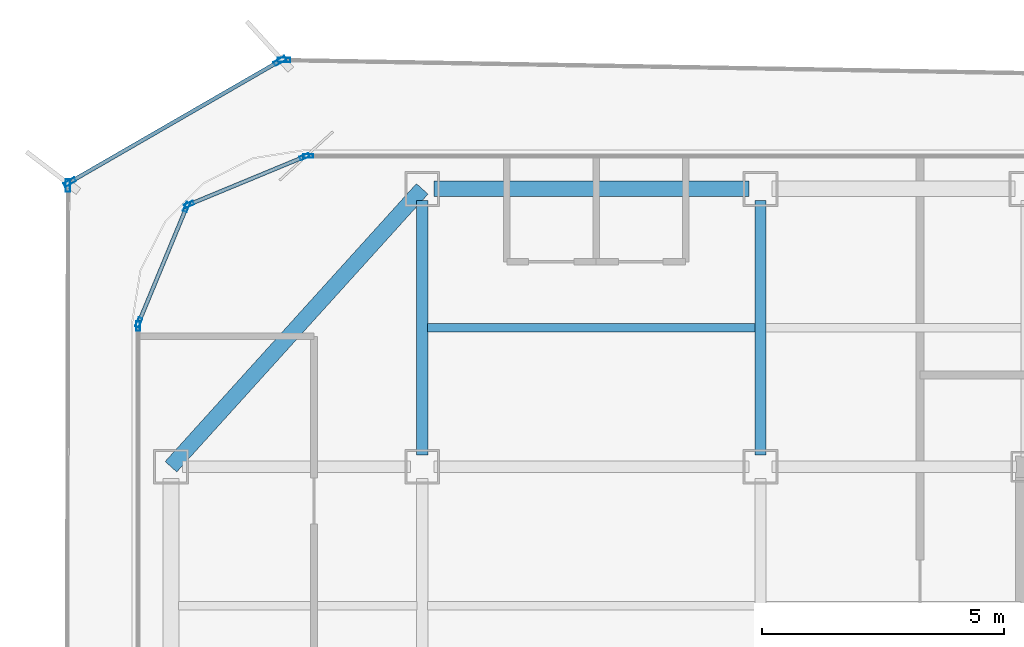
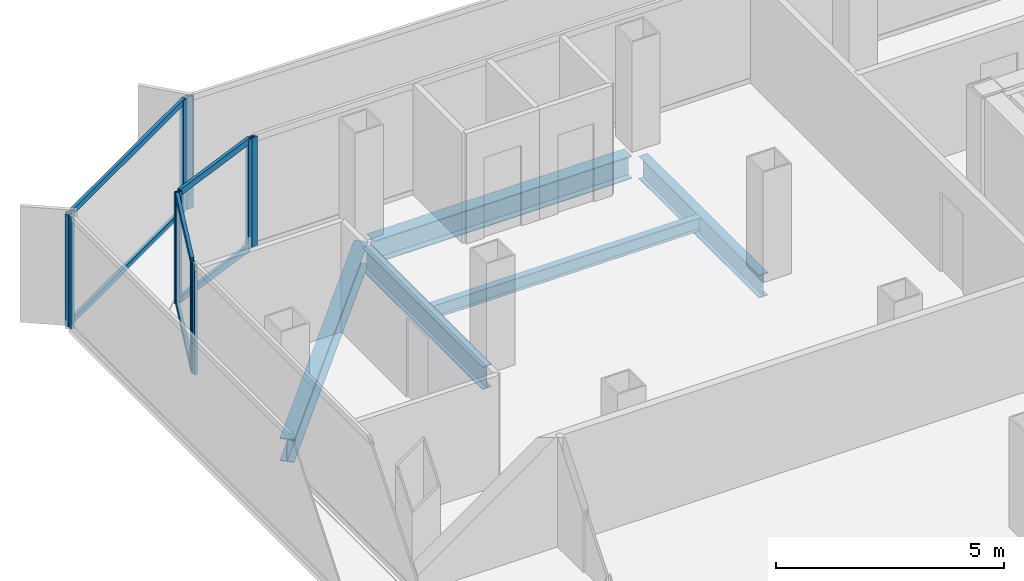
# One storey, part 6 of 16: 16 members, 5 beams, 7 elements without a shape of their own.
"""IFC4 building model written with IfcOpenShell, lengths in metres."""

from ifc_helpers import new_model, si_unit, direction, frame, origin, origin_2d, place, context, subcontext, project, spatial, hollow_rectangle, i_section, extrude, source, transform, mapped, material, layer, layer_set, material_profile, profile_set, type_object, element, aggregate, save


model = new_model("IFC4")

# Units and contexts
model_context = context("Model", 3, precision=1e-05, world=origin(), true_north=direction((0.0, 1.0)))
body_context = subcontext(model_context, "Body", "Model", "MODEL_VIEW")
ifc_project = project(units=[si_unit("LENGTHUNIT", "METRE"), si_unit("AREAUNIT", "SQUARE_METRE"), si_unit("VOLUMEUNIT", "CUBIC_METRE"), si_unit("PLANEANGLEUNIT", "RADIAN"), si_unit("MASSUNIT", "GRAM", prefix="KILO")], contexts=[model_context])

# Site, building, storey
site_placement = place(None, origin())
site = spatial("IfcSite", under=ifc_project, at=site_placement, CompositionType="ELEMENT")
building_placement = place(site_placement, origin())
building = spatial("IfcBuilding", under=site, at=building_placement, Name="Kolveth Station Tower", CompositionType="ELEMENT")
storey_placement = place(building_placement, frame((0.0, 0.0, 206.0)))
storey = spatial("IfcBuildingStorey", under=building, at=storey_placement, Name="L58", CompositionType="ELEMENT", Elevation=206.0)

# Beams
ifc_material_1 = material(Name="Steel S355", Category="steel")
ifc_material_profile_1 = material_profile(ifc_material_1, i_section(OverallWidth=0.323974609375, OverallDepth=0.611083984375, WebThickness=0.0126953125, FlangeThickness=0.01904296875, at=origin_2d()), Name="W610x155")
ifc_profile_set_1 = profile_set([ifc_material_profile_1], Name="Steel S355")
beam_type_1 = type_object("IfcBeamType", Name="Beam_SP2", PredefinedType="SPANDREL", material=ifc_profile_set_1)
shared_shape_1 = source(origin(), body_context, "Body", "SweptSolid", [
    extrude(i_section(OverallWidth=0.323974609375, OverallDepth=0.611083984375, WebThickness=0.0126953125, FlangeThickness=0.01904296875, at=origin_2d()), origin(), (0.0, 0.0, 1.0), 7.75244140625),
])
beam_1_placement = place(storey_placement, frame((6.0, 34.5, -0.555419921875), z_axis=(-0.670740965555, -0.74169168603, 0.0), x_axis=(0.74169168603, -0.670740965555, 0.0)))
element("IfcBeam", 1, at=beam_1_placement, inside=storey, type_object=beam_type_1, Name="L58 Corner Edge Girder BM-L58-CNR-NW", PredefinedType="SPANDREL", context=body_context, shape_type="MappedRepresentation", body=[
    mapped(shared_shape_1, transform((0.0, 0.0, 0.0), x_axis=(1.0, 0.0, 0.0), y_axis=(0.0, 1.0, 0.0), z_axis=(0.0, 0.0, 1.0), scale=1.0)),
])
shared_shape_2 = source(origin(), body_context, "Body", "SweptSolid", [
    extrude(i_section(OverallWidth=0.323974609375, OverallDepth=0.611083984375, WebThickness=0.0126953125, FlangeThickness=0.01904296875, at=origin_2d()), origin(), (0.0, 0.0, 1.0), 6.52001953125),
])
beam_2_placement = place(storey_placement, frame((6.239990234375, 34.5, -0.555419921875), z_axis=(1.0, 0.0, 0.0), x_axis=(0.0, 1.0, 0.0)))
element("IfcBeam", 2, at=beam_2_placement, inside=storey, type_object=beam_type_1, Name="L58 Perimeter Spandrel BM-L58-PN-1", PredefinedType="SPANDREL", context=body_context, shape_type="MappedRepresentation", body=[
    mapped(shared_shape_2, transform((0.0, 0.0, 0.0), x_axis=(1.0, 0.0, 0.0), y_axis=(0.0, 1.0, 0.0), z_axis=(0.0, 0.0, 1.0), scale=1.0)),
])
ifc_material_profile_2 = material_profile(ifc_material_1, i_section(OverallWidth=0.22900390625, OverallDepth=0.612060546875, WebThickness=0.011962890625, FlangeThickness=0.01953125, at=origin_2d()), Name="W610x125")
ifc_profile_set_2 = profile_set([ifc_material_profile_2], Name="Steel S355")
beam_type_2 = type_object("IfcBeamType", Name="Beam_B5", PredefinedType="BEAM", material=ifc_profile_set_2)
shared_shape_3 = source(origin(), body_context, "Body", "SweptSolid", [
    extrude(i_section(OverallWidth=0.22900390625, OverallDepth=0.612060546875, WebThickness=0.011962890625, FlangeThickness=0.01953125, at=origin_2d()), origin(), (0.0, 0.0, 1.0), 5.27001953125),
])
for number, where, z_axis, x_axis, name in (
    (3, (6.0, 28.989990234375, -0.555908203125), (0.0, 1.0, 0.0), (-1.0, 0.0, 0.0), "L58 Primary Girder BM-L58-GX60-6"),
    (4, (13.0, 28.989990234375, -0.555908203125), (0.0, 1.0, 0.0), (-1.0, 0.0, 0.0), "L58 Primary Girder BM-L58-GX130-6"),
):
    element("IfcBeam", number, at=place(storey_placement, frame(where, z_axis=z_axis, x_axis=x_axis)), inside=storey, type_object=beam_type_2, Name=name, PredefinedType="BEAM", context=body_context, shape_type="MappedRepresentation", body=[
        mapped(shared_shape_3, transform((0.0, 0.0, 0.0), x_axis=(1.0, 0.0, 0.0), y_axis=(0.0, 1.0, 0.0), z_axis=(0.0, 0.0, 1.0), scale=1.0)),
    ])
ifc_material_profile_3 = material_profile(ifc_material_1, i_section(OverallWidth=0.1708984375, OverallDepth=0.35205078125, WebThickness=0.0068359375, FlangeThickness=0.009765625, at=origin_2d()), Name="W360x44")
ifc_profile_set_3 = profile_set([ifc_material_profile_3], Name="Steel S355")
beam_type_3 = type_object("IfcBeamType", Name="Beam_J2", PredefinedType="JOIST", material=ifc_profile_set_3)
shared_shape_4 = source(origin(), body_context, "Body", "SweptSolid", [
    extrude(i_section(OverallWidth=0.1708984375, OverallDepth=0.35205078125, WebThickness=0.0068359375, FlangeThickness=0.009765625, at=origin_2d()), origin(), (0.0, 0.0, 1.0), 6.77490234375),
])
beam_3_placement = place(storey_placement, frame((6.112548828125, 31.625, -0.426025390625), z_axis=(1.0, 0.0, 0.0), x_axis=(0.0, 1.0, 0.0)))
element("IfcBeam", 5, at=beam_3_placement, inside=storey, type_object=beam_type_3, Name="L58 Secondary Joist JST-L58-2-6", PredefinedType="JOIST", context=body_context, shape_type="MappedRepresentation", body=[
    mapped(shared_shape_4, transform((0.0, 0.0, 0.0), x_axis=(1.0, 0.0, 0.0), y_axis=(0.0, 1.0, 0.0), z_axis=(0.0, 0.0, 1.0), scale=1.0)),
])

# Curtain wall, member
ifc_material_2 = material(Name="Aluminium 6063-T6 and low-E dark glass", Category="aluminium")
ifc_layer_1 = layer(ifc_material_2, 0.18994140625)
ifc_layer_set_1 = layer_set([ifc_layer_1], Name="Aluminium 6063-T6 and low-E dark glass")
curtain_wall_type_1 = type_object("IfcCurtainWallType", Name="CurtainWall_CW-Z2", PredefinedType="NOTDEFINED", material=ifc_layer_set_1)
curtain_wall_1_placement = place(storey_placement, origin())
curtain_wall_1 = element("IfcCurtainWall", 6, at=curtain_wall_1_placement, inside=storey, type_object=curtain_wall_type_1, Name="L58 Inner Thermal Curtain Wall 6", PredefinedType="NOTDEFINED")
ifc_material_3 = material(Name="Black anodized aluminium 6063-T6", Category="aluminium")
ifc_material_profile_4 = material_profile(ifc_material_3, hollow_rectangle(XDim=0.080078125, YDim=0.199951171875, WallThickness=0.0048828125, at=origin_2d()), Name="ALU-80x200x5")
ifc_profile_set_4 = profile_set([ifc_material_profile_4], Name="Black anodized aluminium 6063-T6")
member_type_1 = type_object("IfcMemberType", Name="Mullion_ML2", PredefinedType="MULLION", material=ifc_profile_set_4)
shared_shape_5 = source(origin(), body_context, "Body", "SweptSolid", [
    extrude(hollow_rectangle(XDim=0.080078125, YDim=0.199951171875, WallThickness=0.0048828125, at=origin_2d()), origin(), (0.0, 0.0, 1.0), 2.949951171875),
])
member_1_placement = place(storey_placement, frame((3.639892578125, 35.179931640625, 0.0), z_axis=(0.0, 0.0, 1.0), x_axis=(0.0, -1.0, 0.0)))
member_1 = element("IfcMember", 7, at=member_1_placement, type_object=member_type_1, Name="CW-Z2 mullion 2", PredefinedType="MULLION", context=body_context, shape_type="MappedRepresentation", body=[
    mapped(shared_shape_5, transform((0.0, 0.0, 0.0), x_axis=(1.0, 0.0, 0.0), y_axis=(0.0, 1.0, 0.0), z_axis=(0.0, 0.0, 1.0), scale=1.0)),
])
aggregate(curtain_wall_1, [member_1])

# Curtain wall, members
curtain_wall_2_placement = place(storey_placement, origin())
curtain_wall_2 = element("IfcCurtainWall", 8, at=curtain_wall_2_placement, inside=storey, type_object=curtain_wall_type_1, Name="L58 Inner Thermal Curtain Wall 7", PredefinedType="NOTDEFINED")
member_2_placement = place(storey_placement, frame((3.56298828125, 35.164794921875, 0.0), z_axis=(0.0, 0.0, 1.0), x_axis=(0.382697753087, -0.923873600544, 0.0)))
member_2 = element("IfcMember", 9, at=member_2_placement, type_object=member_type_1, Name="CW-Z2 mullion 1", PredefinedType="MULLION", context=body_context, shape_type="MappedRepresentation", body=[
    mapped(shared_shape_5, transform((0.0, 0.0, 0.0), x_axis=(1.0, 0.0, 0.0), y_axis=(0.0, 1.0, 0.0), z_axis=(0.0, 0.0, 1.0), scale=1.0)),
])
member_3_placement = place(storey_placement, frame((1.17626953125, 34.176025390625, 0.0), z_axis=(0.0, 0.0, 1.0), x_axis=(0.382697753087, -0.923873600544, 0.0)))
member_3 = element("IfcMember", 10, at=member_3_placement, type_object=member_type_1, Name="CW-Z2 mullion 2", PredefinedType="MULLION", context=body_context, shape_type="MappedRepresentation", body=[
    mapped(shared_shape_5, transform((0.0, 0.0, 0.0), x_axis=(1.0, 0.0, 0.0), y_axis=(0.0, 1.0, 0.0), z_axis=(0.0, 0.0, 1.0), scale=1.0)),
])

curtain_wall_3_placement = place(storey_placement, origin())
curtain_wall_3 = element("IfcCurtainWall", 11, at=curtain_wall_3_placement, inside=storey, type_object=curtain_wall_type_1, Name="L58 Inner Thermal Curtain Wall 8", PredefinedType="NOTDEFINED")
member_4_placement = place(storey_placement, frame((1.1240234375, 34.123779296875, 0.0), z_axis=(0.0, 0.0, 1.0), x_axis=(0.923873600544, -0.382697753087, 0.0)))
member_4 = element("IfcMember", 12, at=member_4_placement, type_object=member_type_1, Name="CW-Z2 mullion 1", PredefinedType="MULLION", context=body_context, shape_type="MappedRepresentation", body=[
    mapped(shared_shape_5, transform((0.0, 0.0, 0.0), x_axis=(1.0, 0.0, 0.0), y_axis=(0.0, 1.0, 0.0), z_axis=(0.0, 0.0, 1.0), scale=1.0)),
])
member_5_placement = place(storey_placement, frame((0.13525390625, 31.737060546875, 0.0), z_axis=(0.0, 0.0, 1.0), x_axis=(0.923873600544, -0.382697753087, 0.0)))
member_5 = element("IfcMember", 13, at=member_5_placement, type_object=member_type_1, Name="CW-Z2 mullion 2", PredefinedType="MULLION", context=body_context, shape_type="MappedRepresentation", body=[
    mapped(shared_shape_5, transform((0.0, 0.0, 0.0), x_axis=(1.0, 0.0, 0.0), y_axis=(0.0, 1.0, 0.0), z_axis=(0.0, 0.0, 1.0), scale=1.0)),
])

# Curtain wall, member
curtain_wall_4_placement = place(storey_placement, origin())
curtain_wall_4 = element("IfcCurtainWall", 14, at=curtain_wall_4_placement, inside=storey, type_object=curtain_wall_type_1, Name="L58 Inner Thermal Curtain Wall 9", PredefinedType="NOTDEFINED")
member_6_placement = place(storey_placement, frame((0.1201171875, 31.659912109375, 0.0), z_axis=(0.0, 0.0, 1.0), x_axis=(1.0, 0.0, 0.0)))
member_6 = element("IfcMember", 15, at=member_6_placement, type_object=member_type_1, Name="CW-Z2 mullion 1", PredefinedType="MULLION", context=body_context, shape_type="MappedRepresentation", body=[
    mapped(shared_shape_5, transform((0.0, 0.0, 0.0), x_axis=(1.0, 0.0, 0.0), y_axis=(0.0, 1.0, 0.0), z_axis=(0.0, 0.0, 1.0), scale=1.0)),
])
aggregate(curtain_wall_4, [member_6])

ifc_material_4 = material(Name="Black anodized aluminium 6063-T6 and dark solar glass", Category="aluminium")
ifc_layer_2 = layer(ifc_material_4, 0.159912109375)
ifc_layer_set_2 = layer_set([ifc_layer_2], Name="Black anodized aluminium 6063-T6 and dark solar glass")
curtain_wall_type_2 = type_object("IfcCurtainWallType", Name="OUTER SKIN CW-OS", PredefinedType="NOTDEFINED", material=ifc_layer_set_2)
curtain_wall_5_placement = place(storey_placement, origin())
curtain_wall_5 = element("IfcCurtainWall", 16, at=curtain_wall_5_placement, inside=storey, type_object=curtain_wall_type_2, Name="L58 Outer Ventilated Skin Curtain Wall 4", PredefinedType="NOTDEFINED")
ifc_material_profile_5 = material_profile(ifc_material_3, hollow_rectangle(XDim=0.090087890625, YDim=0.260009765625, WallThickness=0.0048828125, at=origin_2d()), Name="ALU-90x260x5")
ifc_profile_set_5 = profile_set([ifc_material_profile_5], Name="Black anodized aluminium 6063-T6")
member_type_2 = type_object("IfcMemberType", Name="FIN MULLION ML-OS", PredefinedType="MULLION", material=ifc_profile_set_5)
shared_shape_6 = source(origin(), body_context, "Body", "SweptSolid", [
    extrude(hollow_rectangle(XDim=0.090087890625, YDim=0.260009765625, WallThickness=0.0048828125, at=origin_2d()), origin(), (0.0, 0.0, 1.0), 2.989990234375),
])
member_7_placement = place(storey_placement, frame((3.139404296875, 37.168701171875, 0.0), z_axis=(0.0, 0.0, 1.0), x_axis=(-0.017533183429, -0.999846281925, 0.0)))
member_7 = element("IfcMember", 17, at=member_7_placement, type_object=member_type_2, Name="CW-OS mullion 2", PredefinedType="MULLION", context=body_context, shape_type="MappedRepresentation", body=[
    mapped(shared_shape_6, transform((0.0, 0.0, 0.0), x_axis=(1.0, 0.0, 0.0), y_axis=(0.0, 1.0, 0.0), z_axis=(0.0, 0.0, 1.0), scale=1.0)),
])
aggregate(curtain_wall_5, [member_7])

# Curtain wall, members
curtain_wall_6_placement = place(storey_placement, origin())
curtain_wall_6 = element("IfcCurtainWall", 18, at=curtain_wall_6_placement, inside=storey, type_object=curtain_wall_type_2, Name="L58 Outer Ventilated Skin Curtain Wall 5", PredefinedType="NOTDEFINED")
member_8_placement = place(storey_placement, frame((3.055419921875, 37.147216796875, 0.0), z_axis=(0.0, 0.0, 1.0), x_axis=(0.499892937216, -0.866087207688, 0.0)))
member_8 = element("IfcMember", 19, at=member_8_placement, type_object=member_type_2, Name="CW-OS mullion 1", PredefinedType="MULLION", context=body_context, shape_type="MappedRepresentation", body=[
    mapped(shared_shape_6, transform((0.0, 0.0, 0.0), x_axis=(1.0, 0.0, 0.0), y_axis=(0.0, 1.0, 0.0), z_axis=(0.0, 0.0, 1.0), scale=1.0)),
])
member_9_placement = place(storey_placement, frame((-1.293701171875, 34.636962890625, 0.0), z_axis=(0.0, 0.0, 1.0), x_axis=(0.499892937216, -0.866087207688, 0.0)))
member_9 = element("IfcMember", 20, at=member_9_placement, type_object=member_type_2, Name="CW-OS mullion 2", PredefinedType="MULLION", context=body_context, shape_type="MappedRepresentation", body=[
    mapped(shared_shape_6, transform((0.0, 0.0, 0.0), x_axis=(1.0, 0.0, 0.0), y_axis=(0.0, 1.0, 0.0), z_axis=(0.0, 0.0, 1.0), scale=1.0)),
])

# Curtain wall, member
curtain_wall_7_placement = place(storey_placement, origin())
curtain_wall_7 = element("IfcCurtainWall", 21, at=curtain_wall_7_placement, inside=storey, type_object=curtain_wall_type_2, Name="L58 Outer Ventilated Skin Curtain Wall 6", PredefinedType="NOTDEFINED")
member_10_placement = place(storey_placement, frame((-1.332763671875, 34.5693359375, 0.0), z_axis=(0.0, 0.0, 1.0), x_axis=(0.999997928406, -0.002035481399, 0.0)))
member_10 = element("IfcMember", 22, at=member_10_placement, type_object=member_type_2, Name="CW-OS mullion 1", PredefinedType="MULLION", context=body_context, shape_type="MappedRepresentation", body=[
    mapped(shared_shape_6, transform((0.0, 0.0, 0.0), x_axis=(1.0, 0.0, 0.0), y_axis=(0.0, 1.0, 0.0), z_axis=(0.0, 0.0, 1.0), scale=1.0)),
])
aggregate(curtain_wall_7, [member_10])

# Member
ifc_material_profile_6 = material_profile(ifc_material_3, hollow_rectangle(XDim=0.080078125, YDim=0.169921875, WallThickness=0.0048828125, at=origin_2d()), Name="ALU-80x170x5")
ifc_profile_set_6 = profile_set([ifc_material_profile_6], Name="Black anodized aluminium 6063-T6")
member_type_3 = type_object("IfcMemberType", Name="Transom_TR2", PredefinedType="USERDEFINED", material=ifc_profile_set_6)
shared_shape_7 = source(origin(), body_context, "Body", "SweptSolid", [
    extrude(hollow_rectangle(XDim=0.080078125, YDim=0.169921875, WallThickness=0.0048828125, at=origin_2d()), origin(), (0.0, 0.0, 1.0), 2.50341796875),
])
member_11_placement = place(storey_placement, frame((3.526123046875, 35.1494140625, 0.0400390625), z_axis=(-0.923888472039, -0.382661849723, 0.0), x_axis=(0.382661849723, -0.923888472039, 0.0)))
member_11 = element("IfcMember", 23, at=member_11_placement, type_object=member_type_3, Name="CW-Z2 transom 1.1", ObjectType="TRANSOM", PredefinedType="USERDEFINED", context=body_context, shape_type="MappedRepresentation", body=[
    mapped(shared_shape_7, transform((0.0, 0.0, 0.0), x_axis=(1.0, 0.0, 0.0), y_axis=(0.0, 1.0, 0.0), z_axis=(0.0, 0.0, 1.0), scale=1.0)),
])

member_12_placement = place(storey_placement, frame((3.526123046875, 35.1494140625, 2.909912109375), z_axis=(-0.923888472039, -0.382661849723, 0.0), x_axis=(0.382661849723, -0.923888472039, 0.0)))
member_12 = element("IfcMember", 24, at=member_12_placement, type_object=member_type_3, Name="CW-Z2 transom 1.2", ObjectType="TRANSOM", PredefinedType="USERDEFINED", context=body_context, shape_type="MappedRepresentation", body=[
    mapped(shared_shape_7, transform((0.0, 0.0, 0.0), x_axis=(1.0, 0.0, 0.0), y_axis=(0.0, 1.0, 0.0), z_axis=(0.0, 0.0, 1.0), scale=1.0)),
])

aggregate(curtain_wall_2, [member_2, member_3, member_11, member_12])

member_13_placement = place(storey_placement, frame((1.108642578125, 34.086669921875, 0.0400390625), z_axis=(-0.382696328882, -0.923874190494, 0.0), x_axis=(0.923874190494, -0.382696328882, 0.0)))
member_13 = element("IfcMember", 25, at=member_13_placement, type_object=member_type_3, Name="CW-Z2 transom 1.1", ObjectType="TRANSOM", PredefinedType="USERDEFINED", context=body_context, shape_type="MappedRepresentation", body=[
    mapped(shared_shape_7, transform((0.0, 0.0, 0.0), x_axis=(1.0, 0.0, 0.0), y_axis=(0.0, 1.0, 0.0), z_axis=(0.0, 0.0, 1.0), scale=1.0)),
])

member_14_placement = place(storey_placement, frame((1.108642578125, 34.086669921875, 2.909912109375), z_axis=(-0.382696328882, -0.923874190494, 0.0), x_axis=(0.923874190494, -0.382696328882, 0.0)))
member_14 = element("IfcMember", 26, at=member_14_placement, type_object=member_type_3, Name="CW-Z2 transom 1.2", ObjectType="TRANSOM", PredefinedType="USERDEFINED", context=body_context, shape_type="MappedRepresentation", body=[
    mapped(shared_shape_7, transform((0.0, 0.0, 0.0), x_axis=(1.0, 0.0, 0.0), y_axis=(0.0, 1.0, 0.0), z_axis=(0.0, 0.0, 1.0), scale=1.0)),
])

aggregate(curtain_wall_3, [member_4, member_5, member_13, member_14])

ifc_material_profile_7 = material_profile(ifc_material_3, hollow_rectangle(XDim=0.080078125, YDim=0.14990234375, WallThickness=0.0048828125, at=origin_2d()), Name="ALU-80x150x5")
ifc_profile_set_7 = profile_set([ifc_material_profile_7], Name="Black anodized aluminium 6063-T6")
member_type_4 = type_object("IfcMemberType", Name="Transom_TR-OS", PredefinedType="USERDEFINED", material=ifc_profile_set_7)
shared_shape_8 = source(origin(), body_context, "Body", "SweptSolid", [
    extrude(hollow_rectangle(XDim=0.080078125, YDim=0.14990234375, WallThickness=0.0048828125, at=origin_2d()), origin(), (0.0, 0.0, 1.0), 4.931396484375),
])
member_15_placement = place(storey_placement, frame((3.016357421875, 37.12451171875, 0.0400390625), z_axis=(-0.866093258873, -0.499882453118, 0.0), x_axis=(0.499882453118, -0.866093258873, 0.0)))
member_15 = element("IfcMember", 27, at=member_15_placement, type_object=member_type_4, Name="CW-OS transom 1.1", ObjectType="TRANSOM", PredefinedType="USERDEFINED", context=body_context, shape_type="MappedRepresentation", body=[
    mapped(shared_shape_8, transform((0.0, 0.0, 0.0), x_axis=(1.0, 0.0, 0.0), y_axis=(0.0, 1.0, 0.0), z_axis=(0.0, 0.0, 1.0), scale=1.0)),
])

member_16_placement = place(storey_placement, frame((3.016357421875, 37.12451171875, 2.949951171875), z_axis=(-0.866093258873, -0.499882453118, 0.0), x_axis=(0.499882453118, -0.866093258873, 0.0)))
member_16 = element("IfcMember", 28, at=member_16_placement, type_object=member_type_4, Name="CW-OS transom 1.2", ObjectType="TRANSOM", PredefinedType="USERDEFINED", context=body_context, shape_type="MappedRepresentation", body=[
    mapped(shared_shape_8, transform((0.0, 0.0, 0.0), x_axis=(1.0, 0.0, 0.0), y_axis=(0.0, 1.0, 0.0), z_axis=(0.0, 0.0, 1.0), scale=1.0)),
])

aggregate(curtain_wall_6, [member_8, member_9, member_15, member_16])

save(model, "model.ifc")
